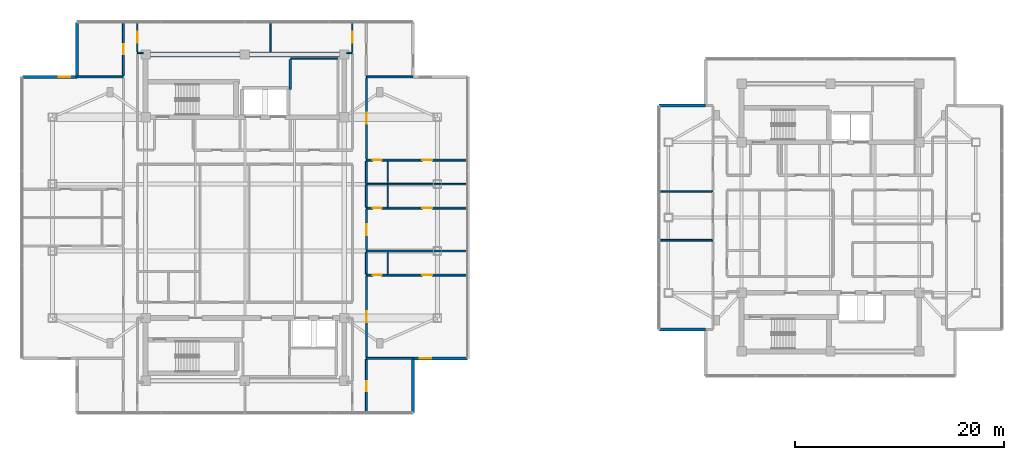
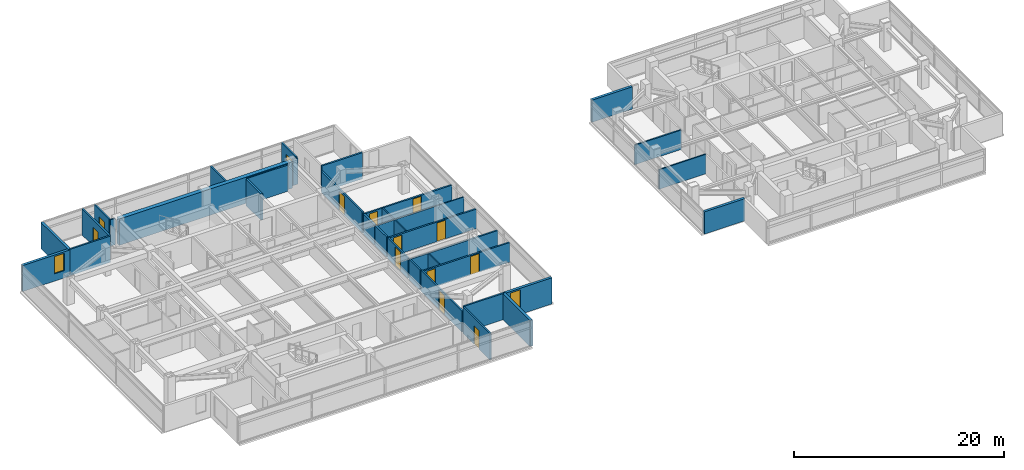
# One storey, part 13 of 21: 35 walls, 13 doors, 2 windows, 15 openings.
"""IFC4 building model written with IfcOpenShell, lengths in metres."""

from ifc_helpers import new_model, si_unit, direction, frame, frame_2d, origin, place, context, subcontext, project, spatial, rectangle, extrude, material, layer, layer_set, type_object, element, fill, save


model = new_model("IFC4")

# Units and contexts
model_context = context("Model", 3, precision=1e-05, world=origin(), true_north=direction((0.0, 1.0)))
body_context = subcontext(model_context, "Body", "Model", "MODEL_VIEW")
ifc_project = project(units=[si_unit("LENGTHUNIT", "METRE"), si_unit("AREAUNIT", "SQUARE_METRE"), si_unit("VOLUMEUNIT", "CUBIC_METRE"), si_unit("PLANEANGLEUNIT", "RADIAN"), si_unit("MASSUNIT", "GRAM", prefix="KILO")], contexts=[model_context])

# Site, building, storey
site_placement = place(None, origin())
site = spatial("IfcSite", under=ifc_project, at=site_placement, CompositionType="ELEMENT")
building_placement = place(site_placement, origin())
building = spatial("IfcBuilding", under=site, at=building_placement, Name="Mirazonda Arch Towers", CompositionType="ELEMENT")
storey_placement = place(building_placement, frame((0.0, 0.0, 206.39990234375)))
storey = spatial("IfcBuildingStorey", under=building, at=storey_placement, Name="L59", CompositionType="ELEMENT", Elevation=206.39990234375)

# Wall
ifc_material_1 = material(Name="Concrete C50/60", Category="concrete")
ifc_layer_1 = layer(ifc_material_1, 0.449951171875, Name="WALL-CORE-450")
ifc_layer_set_1 = layer_set([ifc_layer_1], Name="Concrete C50/60")
wall_type_1 = type_object("IfcWallType", Name="WALL-CORE-450", PredefinedType="SHEAR", material=ifc_layer_set_1)
wall_1_placement = place(storey_placement, frame((11.0, 43.60009765625, 0.0), z_axis=(0.0, 0.0, 1.0), x_axis=(1.0, 0.0, 0.0)))
element("IfcWall", 1, at=wall_1_placement, inside=storey, type_object=wall_type_1, Name="L59 T1N-N Core Shear Wall", PredefinedType="SHEAR", context=body_context, shape_type="SweptSolid", body=[
    extrude(rectangle(XDim=19.0, YDim=0.449951171875, at=frame_2d((9.5, 0.0))), origin(), (0.0, 0.0, 1.0), 3.050048828125),
])

# Wall, opening, window
ifc_material_2 = material(Name="Precast Concrete C40/50", Category="concrete")
ifc_layer_2 = layer(ifc_material_2, 0.280029296875, Name="WALL-EXT-WALL-280")
ifc_layer_set_2 = layer_set([ifc_layer_2], Name="Precast Concrete C40/50")
wall_type_2 = type_object("IfcWallType", Name="WALL-EXT-WALL-280", PredefinedType="SOLIDWALL", material=ifc_layer_set_2)
wall_2_placement = place(storey_placement, frame((36.574951171875, 14.5390625, 0.0), z_axis=(0.0, 0.0, 1.0), x_axis=(1.0, 0.0, 0.0)))
wall_2 = element("IfcWall", 2, at=wall_2_placement, inside=storey, type_object=wall_type_2, Name="L59 T1 Corner Notch Return Wall WL-L59-T1-CSE1", PredefinedType="SOLIDWALL", context=body_context, shape_type="SweptSolid", body=[
    extrude(rectangle(XDim=5.215087890625, YDim=0.280029296875, at=frame_2d((2.607421875, 0.0))), origin(), (0.0, 0.0, 1.0), 3.030029296875),
])
opening_1_placement = place(wall_2_placement, frame((0.64990234375, 0.0, 0.85009765625)))
opening_1 = element("IfcOpeningElement", 3, at=opening_1_placement, cuts=wall_2, Name="Opening WN-108", PredefinedType="OPENING", context=body_context, shape_type="SweptSolid", body=[
    extrude(rectangle(XDim=1.10009765625, YDim=2.0, at=frame_2d((0.550048828125, 1.0))), frame((0.0, 0.14990234375, 0.0), z_axis=(0.0, -1.0, 0.0), x_axis=(1.0, 0.0, 0.0)), (0.0, 0.0, 1.0), 0.300048828125),
])
ifc_material_3 = material(Name="Insulated Low-E Solar Glass", Category="glass")
window_type = type_object("IfcWindowType", Name="WIN-NOTCH-1100x2000", PartitioningType="SINGLE_PANEL", PredefinedType="WINDOW", material=ifc_material_3)
window_1_placement = place(opening_1_placement, origin())
window_1 = element("IfcWindow", 4, at=window_1_placement, inside=storey, type_object=window_type, Name="L59 Punched Facade Window WN-L59-T1-CSE1", OverallHeight=2.0, OverallWidth=1.10009765625, PartitioningType="SINGLE_PANEL", PredefinedType="WINDOW", context=body_context, shape_type="SweptSolid", body=[
    extrude(rectangle(XDim=1.10009765625, YDim=2.0, at=frame_2d((0.550048828125, 1.0))), frame((0.0, 0.030029296875, 0.0), z_axis=(0.0, -1.0, 0.0), x_axis=(1.0, 0.0, 0.0)), (0.0, 0.0, 1.0), 0.06005859375),
])
fill(opening_1, window_1)

# Wall
wall_3_placement = place(storey_placement, frame((36.574951171875, 9.323974609375, 0.0), z_axis=(0.0, 0.0, 1.0), x_axis=(0.0, 1.0, 0.0)))
element("IfcWall", 5, at=wall_3_placement, inside=storey, type_object=wall_type_2, Name="L59 T1 Corner Notch Return Wall WL-L59-T1-CSE2", PredefinedType="SOLIDWALL", context=body_context, shape_type="SweptSolid", body=[
    extrude(rectangle(XDim=5.215087890625, YDim=0.280029296875, at=frame_2d((2.607421875, 0.0))), origin(), (0.0, 0.0, 1.0), 3.030029296875),
])

# Wall, opening, window
wall_4_placement = place(storey_placement, frame((4.425048828125, 41.4609375, 0.0), z_axis=(0.0, 0.0, 1.0), x_axis=(-1.0, 0.0, 0.0)))
wall_4 = element("IfcWall", 6, at=wall_4_placement, inside=storey, type_object=wall_type_2, Name="L59 T1 Corner Notch Return Wall WL-L59-T1-CNW1", PredefinedType="SOLIDWALL", context=body_context, shape_type="SweptSolid", body=[
    extrude(rectangle(XDim=5.215087890625, YDim=0.280029296875, at=frame_2d((2.607421875, 0.0))), origin(), (0.0, 0.0, 1.0), 3.030029296875),
])
opening_2_placement = place(wall_4_placement, frame((0.64990234375, 0.0, 0.85009765625)))
opening_2 = element("IfcOpeningElement", 7, at=opening_2_placement, cuts=wall_4, Name="Opening WN-108", PredefinedType="OPENING", context=body_context, shape_type="SweptSolid", body=[
    extrude(rectangle(XDim=1.10009765625, YDim=2.0, at=frame_2d((0.550048828125, 1.0))), frame((0.0, 0.14990234375, 0.0), z_axis=(0.0, -1.0, 0.0), x_axis=(1.0, 0.0, 0.0)), (0.0, 0.0, 1.0), 0.300048828125),
])
window_2_placement = place(opening_2_placement, origin())
window_2 = element("IfcWindow", 8, at=window_2_placement, inside=storey, type_object=window_type, Name="L59 Punched Facade Window WN-L59-T1-CNW1", OverallHeight=2.0, OverallWidth=1.10009765625, PartitioningType="SINGLE_PANEL", PredefinedType="WINDOW", context=body_context, shape_type="SweptSolid", body=[
    extrude(rectangle(XDim=1.10009765625, YDim=2.0, at=frame_2d((0.550048828125, 1.0))), frame((0.0, 0.030029296875, 0.0), z_axis=(0.0, -1.0, 0.0), x_axis=(1.0, 0.0, 0.0)), (0.0, 0.0, 1.0), 0.06005859375),
])
fill(opening_2, window_2)

# Walls
wall_5_placement = place(storey_placement, frame((4.425048828125, 46.676025390625, 0.0), z_axis=(0.0, 0.0, 1.0), x_axis=(0.0, -1.0, 0.0)))
element("IfcWall", 9, at=wall_5_placement, inside=storey, type_object=wall_type_2, Name="L59 T1 Corner Notch Return Wall WL-L59-T1-CNW2", PredefinedType="SOLIDWALL", context=body_context, shape_type="SweptSolid", body=[
    extrude(rectangle(XDim=5.215087890625, YDim=0.280029296875, at=frame_2d((2.607421875, 0.0))), origin(), (0.0, 0.0, 1.0), 3.030029296875),
])
for number, where, z_axis, x_axis, name in (
    (10, (60.12255859375, 17.30126953125, 0.0), (0.0, 0.0, 1.0), (1.0, 0.0, 0.0), "L59 T2 Corner Notch Return Wall WL-L59-T2-CSW2"),
    (11, (64.562255859375, 38.69873046875, 0.0), (0.0, 0.0, 1.0), (-1.0, 0.0, 0.0), "L59 T2 Corner Notch Return Wall WL-L59-T2-CNW1"),
):
    element("IfcWall", number, at=place(storey_placement, frame(where, z_axis=z_axis, x_axis=x_axis)), inside=storey, type_object=wall_type_2, Name=name, PredefinedType="SOLIDWALL", context=body_context, shape_type="SweptSolid", body=[
        extrude(rectangle(XDim=4.439697265625, YDim=0.280029296875, at=frame_2d((2.2197265625, 0.0))), origin(), (0.0, 0.0, 1.0), 2.580078125),
    ])
ifc_material_4 = material(Name="Concrete C40/50", Category="concrete")
ifc_layer_3 = layer(ifc_material_4, 0.219970703125, Name="WALL-FFL-220")
ifc_layer_set_3 = layer_set([ifc_layer_3], Name="Concrete C40/50")
wall_type_3 = type_object("IfcWallType", Name="WALL-FFL-220", PredefinedType="SOLIDWALL", material=ifc_layer_set_3)
wall_6_placement = place(storey_placement, frame((24.85009765625, 40.260009765625, 0.0), z_axis=(0.0, 0.0, 1.0), x_axis=(0.0, 1.0, 0.0)))
element("IfcWall", 12, at=wall_6_placement, inside=storey, type_object=wall_type_3, Name="L59 Interior Partition 086", PredefinedType="SOLIDWALL", context=body_context, shape_type="SweptSolid", body=[
    extrude(rectangle(XDim=2.85498046875, YDim=0.219970703125, at=frame_2d((1.427490234375, 0.0))), origin(), (0.0, 0.0, 1.0), 3.050048828125),
])
ifc_material_5 = material(Name="Fire-Rated Gypsum Stud Partition")
ifc_layer_4 = layer(ifc_material_5, 0.14990234375, Name="WALL-PART-CORR-150")
ifc_layer_set_4 = layer_set([ifc_layer_4], Name="Fire-Rated Gypsum Stud Partition")
wall_type_4 = type_object("IfcWallType", Name="WALL-PART-CORR-150", PredefinedType="PARTITIONING", material=ifc_layer_set_4)
for number, where, z_axis, x_axis, name in (
    (13, (60.123046875, 25.833984375, 0.0), (0.0, 0.0, 1.0), (1.0, 0.0, 0.0), "L59 Interior Partition 028"),
    (14, (60.123046875, 30.508056640625, 0.0), (0.0, 0.0, 1.0), (1.0, 0.0, 0.0), "L59 Interior Partition 032"),
):
    element("IfcWall", number, at=place(storey_placement, frame(where, z_axis=z_axis, x_axis=x_axis)), inside=storey, type_object=wall_type_4, Name=name, PredefinedType="PARTITIONING", context=body_context, shape_type="SweptSolid", body=[
        extrude(rectangle(XDim=5.126953125, YDim=0.14990234375, at=frame_2d((2.5634765625, 0.0))), origin(), (0.0, 0.0, 1.0), 2.26220703125),
    ])
wall_7_placement = place(storey_placement, frame((24.89990234375, 43.199951171875, 0.0), z_axis=(0.0, 0.0, 1.0), x_axis=(1.0, 0.0, 0.0)))
element("IfcWall", 15, at=wall_7_placement, inside=storey, type_object=wall_type_4, Name="L59 Interior Partition 052", PredefinedType="PARTITIONING", context=body_context, shape_type="SweptSolid", body=[
    extrude(rectangle(XDim=4.5, YDim=0.14990234375, at=frame_2d((2.25, 0.0))), origin(), (0.0, 0.0, 1.0), 3.050048828125),
])
for number, where, z_axis, x_axis, name in (
    (16, (10.219970703125, 43.75, 0.0), (0.0, 0.0, 1.0), (1.0, 0.0, 0.0), "L59 Interior Partition 053"),
    (17, (30.219970703125, 43.75, 0.0), (0.0, 0.0, 1.0), (1.0, 0.0, 0.0), "L59 Interior Partition 054"),
):
    element("IfcWall", number, at=place(storey_placement, frame(where, z_axis=z_axis, x_axis=x_axis)), inside=storey, type_object=wall_type_4, Name=name, PredefinedType="PARTITIONING", context=body_context, shape_type="SweptSolid", body=[
        extrude(rectangle(XDim=0.56005859375, YDim=0.14990234375, at=frame_2d((0.280029296875, 0.0))), origin(), (0.0, 0.0, 1.0), 3.050048828125),
    ])

# Wall, opening, door
wall_8_placement = place(storey_placement, frame((10.219970703125, 43.8349609375, 0.0), z_axis=(0.0, 0.0, 1.0), x_axis=(0.0, 1.0, 0.0)))
wall_8 = element("IfcWall", 18, at=wall_8_placement, inside=storey, type_object=wall_type_4, Name="L59 Interior Partition 068", PredefinedType="PARTITIONING", context=body_context, shape_type="SweptSolid", body=[
    extrude(rectangle(XDim=2.841064453125, YDim=0.14990234375, at=frame_2d((1.42041015625, 0.0))), origin(), (0.0, 0.0, 1.0), 3.050048828125),
])
opening_3_placement = place(wall_8_placement, frame((0.8955078125, 0.0, 0.0)))
opening_3 = element("IfcOpeningElement", 19, at=opening_3_placement, cuts=wall_8, Name="Opening DR-121", PredefinedType="OPENING", context=body_context, shape_type="SweptSolid", body=[
    extrude(rectangle(XDim=1.050048828125, YDim=2.199951171875, at=frame_2d((0.52490234375, 1.10009765625))), frame((0.0, 0.0849609375, 0.0), z_axis=(0.0, -1.0, 0.0), x_axis=(1.0, 0.0, 0.0)), (0.0, 0.0, 1.0), 0.169921875),
])
ifc_material_6 = material(Name="Architectural Brushed Steel S355", Category="steel")
door_type_1 = type_object("IfcDoorType", Name="DOOR-SUITE-FD60-1050", OperationType="NOTDEFINED", PredefinedType="DOOR", material=ifc_material_6)
door_1_placement = place(opening_3_placement, origin())
door_1 = element("IfcDoor", 20, at=door_1_placement, inside=storey, type_object=door_type_1, Name="L59 North Reading Salon West Door", OperationType="SINGLE_SWING_LEFT", OverallHeight=2.199951171875, OverallWidth=1.050048828125, PredefinedType="DOOR", context=body_context, shape_type="SweptSolid", body=[
    extrude(rectangle(XDim=1.050048828125, YDim=2.199951171875, at=frame_2d((0.52490234375, 1.10009765625))), frame((0.0, 0.02490234375, 0.0), z_axis=(0.0, -1.0, 0.0), x_axis=(1.0, 0.0, 0.0)), (0.0, 0.0, 1.0), 0.050048828125),
])
fill(opening_3, door_1)

# Wall
wall_9_placement = place(storey_placement, frame((22.967041015625, 43.820068359375, 0.0), z_axis=(0.0, 0.0, 1.0), x_axis=(0.0, 1.0, 0.0)))
element("IfcWall", 21, at=wall_9_placement, inside=storey, type_object=wall_type_4, Name="L59 Interior Partition 081", PredefinedType="PARTITIONING", context=body_context, shape_type="SweptSolid", body=[
    extrude(rectangle(XDim=2.85595703125, YDim=0.14990234375, at=frame_2d((1.427978515625, 0.0))), origin(), (0.0, 0.0, 1.0), 3.050048828125),
])

# Wall, opening, door
wall_10_placement = place(storey_placement, frame((30.780029296875, 43.8349609375, 0.0), z_axis=(0.0, 0.0, 1.0), x_axis=(0.0, 1.0, 0.0)))
wall_10 = element("IfcWall", 22, at=wall_10_placement, inside=storey, type_object=wall_type_4, Name="L59 Interior Partition 096", PredefinedType="PARTITIONING", context=body_context, shape_type="SweptSolid", body=[
    extrude(rectangle(XDim=2.841064453125, YDim=0.14990234375, at=frame_2d((1.42041015625, 0.0))), origin(), (0.0, 0.0, 1.0), 3.050048828125),
])
opening_4_placement = place(wall_10_placement, frame((0.8955078125, 0.0, 0.0)))
opening_4 = element("IfcOpeningElement", 23, at=opening_4_placement, cuts=wall_10, Name="Opening DR-121", PredefinedType="OPENING", context=body_context, shape_type="SweptSolid", body=[
    extrude(rectangle(XDim=1.050048828125, YDim=2.199951171875, at=frame_2d((0.52490234375, 1.10009765625))), frame((0.0, 0.0849609375, 0.0), z_axis=(0.0, -1.0, 0.0), x_axis=(1.0, 0.0, 0.0)), (0.0, 0.0, 1.0), 0.169921875),
])
door_2_placement = place(opening_4_placement, origin())
door_2 = element("IfcDoor", 24, at=door_2_placement, inside=storey, type_object=door_type_1, Name="L59 North Reading Salon East Door", OperationType="SINGLE_SWING_RIGHT", OverallHeight=2.199951171875, OverallWidth=1.050048828125, PredefinedType="DOOR", context=body_context, shape_type="SweptSolid", body=[
    extrude(rectangle(XDim=1.050048828125, YDim=2.199951171875, at=frame_2d((0.52490234375, 1.10009765625))), frame((0.0, 0.02490234375, 0.0), z_axis=(0.0, -1.0, 0.0), x_axis=(1.0, 0.0, 0.0)), (0.0, 0.0, 1.0), 0.050048828125),
])
fill(opening_4, door_2)

# Wall
ifc_material_7 = material(Name="Fire-Rated Gypsum Twin-Stud Assembly")
ifc_layer_5 = layer(ifc_material_7, 0.179931640625, Name="WALL-PART-DEMISE-180")
ifc_layer_set_5 = layer_set([ifc_layer_5], Name="Fire-Rated Gypsum Twin-Stud Assembly")
wall_type_5 = type_object("IfcWallType", Name="WALL-PART-DEMISE-180", PredefinedType="PARTITIONING", material=ifc_layer_set_5)
wall_11_placement = place(storey_placement, frame((32.1201171875, 14.5390625, 0.0), z_axis=(0.0, 0.0, 1.0), x_axis=(1.0, 0.0, 0.0)))
element("IfcWall", 25, at=wall_11_placement, inside=storey, type_object=wall_type_5, Name="L59 Interior Partition 006", PredefinedType="PARTITIONING", context=body_context, shape_type="SweptSolid", body=[
    extrude(rectangle(XDim=4.434814453125, YDim=0.179931640625, at=frame_2d((2.21728515625, 0.0))), origin(), (0.0, 0.0, 1.0), 3.050048828125),
])

# Wall, openings, doors
wall_12_placement = place(storey_placement, frame((32.1201171875, 22.5, 0.0), z_axis=(0.0, 0.0, 1.0), x_axis=(1.0, 0.0, 0.0)))
wall_12 = element("IfcWall", 26, at=wall_12_placement, inside=storey, type_object=wall_type_5, Name="L59 Interior Partition 020", PredefinedType="PARTITIONING", context=body_context, shape_type="SweptSolid", body=[
    extrude(rectangle(XDim=9.669921875, YDim=0.179931640625, at=frame_2d((4.8349609375, 0.0))), origin(), (0.0, 0.0, 1.0), 2.26904296875),
])
opening_5_placement = place(wall_12_placement, frame((5.360107421875, 0.0, 0.0)))
opening_5 = element("IfcOpeningElement", 27, at=opening_5_placement, cuts=wall_12, Name="Opening DR-104", PredefinedType="OPENING", context=body_context, shape_type="SweptSolid", body=[
    extrude(rectangle(XDim=0.949951171875, YDim=2.14990234375, at=frame_2d((0.47509765625, 1.074951171875))), frame((0.0, 0.099853515625, 0.0), z_axis=(0.0, -1.0, 0.0), x_axis=(1.0, 0.0, 0.0)), (0.0, 0.0, 1.0), 0.199951171875),
])
opening_6_placement = place(wall_12_placement, frame((0.590087890625, 0.0, 0.0)))
opening_6 = element("IfcOpeningElement", 28, at=opening_6_placement, cuts=wall_12, Name="Opening DR-120", PredefinedType="OPENING", context=body_context, shape_type="SweptSolid", body=[
    extrude(rectangle(XDim=0.89990234375, YDim=2.10009765625, at=frame_2d((0.449951171875, 1.050048828125))), frame((0.0, 0.099853515625, 0.0), z_axis=(0.0, -1.0, 0.0), x_axis=(1.0, 0.0, 0.0)), (0.0, 0.0, 1.0), 0.199951171875),
])
door_type_2 = type_object("IfcDoorType", Name="DOOR-ROOM-950", OperationType="NOTDEFINED", PredefinedType="DOOR", material=ifc_material_6)
door_3_placement = place(opening_5_placement, origin())
door_3 = element("IfcDoor", 29, at=door_3_placement, inside=storey, type_object=door_type_2, Name="L59 Suite Bedroom 1 Door", OperationType="SINGLE_SWING_RIGHT", OverallHeight=2.14990234375, OverallWidth=0.949951171875, PredefinedType="DOOR", context=body_context, shape_type="SweptSolid", body=[
    extrude(rectangle(XDim=0.949951171875, YDim=2.14990234375, at=frame_2d((0.47509765625, 1.074951171875))), frame((0.0, 0.02490234375, 0.0), z_axis=(0.0, -1.0, 0.0), x_axis=(1.0, 0.0, 0.0)), (0.0, 0.0, 1.0), 0.050048828125),
])
fill(opening_5, door_3)
door_type_3 = type_object("IfcDoorType", Name="DOOR-WC-900", OperationType="NOTDEFINED", PredefinedType="DOOR", material=ifc_material_6)
door_4_placement = place(opening_6_placement, origin())
door_4 = element("IfcDoor", 30, at=door_4_placement, inside=storey, type_object=door_type_3, Name="L59 Suite En-Suite Bathroom 1 Door", OperationType="SINGLE_SWING_LEFT", OverallHeight=2.10009765625, OverallWidth=0.89990234375, PredefinedType="DOOR", context=body_context, shape_type="SweptSolid", body=[
    extrude(rectangle(XDim=0.89990234375, YDim=2.10009765625, at=frame_2d((0.449951171875, 1.050048828125))), frame((0.0, 0.02490234375, 0.0), z_axis=(0.0, -1.0, 0.0), x_axis=(1.0, 0.0, 0.0)), (0.0, 0.0, 1.0), 0.050048828125),
])
fill(opening_6, door_4)

# Wall
wall_13_placement = place(storey_placement, frame((32.1201171875, 24.800048828125, 0.0), z_axis=(0.0, 0.0, 1.0), x_axis=(1.0, 0.0, 0.0)))
element("IfcWall", 31, at=wall_13_placement, inside=storey, type_object=wall_type_5, Name="L59 Interior Partition 024", PredefinedType="PARTITIONING", context=body_context, shape_type="SweptSolid", body=[
    extrude(rectangle(XDim=9.669921875, YDim=0.179931640625, at=frame_2d((4.8349609375, 0.0))), origin(), (0.0, 0.0, 1.0), 2.26904296875),
])

# Wall, openings, doors
wall_14_placement = place(storey_placement, frame((32.1201171875, 28.89990234375, 0.0), z_axis=(0.0, 0.0, 1.0), x_axis=(1.0, 0.0, 0.0)))
wall_14 = element("IfcWall", 32, at=wall_14_placement, inside=storey, type_object=wall_type_5, Name="L59 Interior Partition 031", PredefinedType="PARTITIONING", context=body_context, shape_type="SweptSolid", body=[
    extrude(rectangle(XDim=9.669921875, YDim=0.179931640625, at=frame_2d((4.8349609375, 0.0))), origin(), (0.0, 0.0, 1.0), 2.26904296875),
])
opening_7_placement = place(wall_14_placement, frame((5.360107421875, 0.0, 0.0)))
opening_7 = element("IfcOpeningElement", 33, at=opening_7_placement, cuts=wall_14, Name="Opening DR-104", PredefinedType="OPENING", context=body_context, shape_type="SweptSolid", body=[
    extrude(rectangle(XDim=0.949951171875, YDim=2.14990234375, at=frame_2d((0.47509765625, 1.074951171875))), frame((0.0, 0.099853515625, 0.0), z_axis=(0.0, -1.0, 0.0), x_axis=(1.0, 0.0, 0.0)), (0.0, 0.0, 1.0), 0.199951171875),
])
opening_8_placement = place(wall_14_placement, frame((0.590087890625, 0.0, 0.0)))
opening_8 = element("IfcOpeningElement", 34, at=opening_8_placement, cuts=wall_14, Name="Opening DR-120", PredefinedType="OPENING", context=body_context, shape_type="SweptSolid", body=[
    extrude(rectangle(XDim=0.89990234375, YDim=2.10009765625, at=frame_2d((0.449951171875, 1.050048828125))), frame((0.0, 0.099853515625, 0.0), z_axis=(0.0, -1.0, 0.0), x_axis=(1.0, 0.0, 0.0)), (0.0, 0.0, 1.0), 0.199951171875),
])
door_5_placement = place(opening_7_placement, origin())
door_5 = element("IfcDoor", 35, at=door_5_placement, inside=storey, type_object=door_type_2, Name="L59 Guestroom Study 2 Door", OperationType="SINGLE_SWING_LEFT", OverallHeight=2.14990234375, OverallWidth=0.949951171875, PredefinedType="DOOR", context=body_context, shape_type="SweptSolid", body=[
    extrude(rectangle(XDim=0.949951171875, YDim=2.14990234375, at=frame_2d((0.47509765625, 1.074951171875))), frame((0.0, 0.02490234375, 0.0), z_axis=(0.0, -1.0, 0.0), x_axis=(1.0, 0.0, 0.0)), (0.0, 0.0, 1.0), 0.050048828125),
])
fill(opening_7, door_5)
door_6_placement = place(opening_8_placement, origin())
door_6 = element("IfcDoor", 36, at=door_6_placement, inside=storey, type_object=door_type_3, Name="L59 En-Suite Bathroom 2 Door", OperationType="SINGLE_SWING_RIGHT", OverallHeight=2.10009765625, OverallWidth=0.89990234375, PredefinedType="DOOR", context=body_context, shape_type="SweptSolid", body=[
    extrude(rectangle(XDim=0.89990234375, YDim=2.10009765625, at=frame_2d((0.449951171875, 1.050048828125))), frame((0.0, 0.02490234375, 0.0), z_axis=(0.0, -1.0, 0.0), x_axis=(1.0, 0.0, 0.0)), (0.0, 0.0, 1.0), 0.050048828125),
])
fill(opening_8, door_6)

wall_15_placement = place(storey_placement, frame((32.1201171875, 33.5, 0.0), z_axis=(0.0, 0.0, 1.0), x_axis=(1.0, 0.0, 0.0)))
wall_15 = element("IfcWall", 37, at=wall_15_placement, inside=storey, type_object=wall_type_5, Name="L59 Interior Partition 040", PredefinedType="PARTITIONING", context=body_context, shape_type="SweptSolid", body=[
    extrude(rectangle(XDim=9.669921875, YDim=0.179931640625, at=frame_2d((4.8349609375, 0.0))), origin(), (0.0, 0.0, 1.0), 2.26904296875),
])
opening_9_placement = place(wall_15_placement, frame((5.360107421875, 0.0, 0.0)))
opening_9 = element("IfcOpeningElement", 38, at=opening_9_placement, cuts=wall_15, Name="Opening DR-104", PredefinedType="OPENING", context=body_context, shape_type="SweptSolid", body=[
    extrude(rectangle(XDim=0.949951171875, YDim=2.14990234375, at=frame_2d((0.47509765625, 1.074951171875))), frame((0.0, 0.099853515625, 0.0), z_axis=(0.0, -1.0, 0.0), x_axis=(1.0, 0.0, 0.0)), (0.0, 0.0, 1.0), 0.199951171875),
])
opening_10_placement = place(wall_15_placement, frame((0.590087890625, 0.0, 0.0)))
opening_10 = element("IfcOpeningElement", 39, at=opening_10_placement, cuts=wall_15, Name="Opening DR-120", PredefinedType="OPENING", context=body_context, shape_type="SweptSolid", body=[
    extrude(rectangle(XDim=0.89990234375, YDim=2.10009765625, at=frame_2d((0.449951171875, 1.050048828125))), frame((0.0, 0.099853515625, 0.0), z_axis=(0.0, -1.0, 0.0), x_axis=(1.0, 0.0, 0.0)), (0.0, 0.0, 1.0), 0.199951171875),
])
door_7_placement = place(opening_9_placement, origin())
door_7 = element("IfcDoor", 40, at=door_7_placement, inside=storey, type_object=door_type_2, Name="L59 Suite Bedroom 3 Door", OperationType="SINGLE_SWING_RIGHT", OverallHeight=2.14990234375, OverallWidth=0.949951171875, PredefinedType="DOOR", context=body_context, shape_type="SweptSolid", body=[
    extrude(rectangle(XDim=0.949951171875, YDim=2.14990234375, at=frame_2d((0.47509765625, 1.074951171875))), frame((0.0, 0.02490234375, 0.0), z_axis=(0.0, -1.0, 0.0), x_axis=(1.0, 0.0, 0.0)), (0.0, 0.0, 1.0), 0.050048828125),
])
fill(opening_9, door_7)
door_8_placement = place(opening_10_placement, origin())
door_8 = element("IfcDoor", 41, at=door_8_placement, inside=storey, type_object=door_type_3, Name="L59 Suite En-Suite Bathroom 3 Door", OperationType="SINGLE_SWING_LEFT", OverallHeight=2.10009765625, OverallWidth=0.89990234375, PredefinedType="DOOR", context=body_context, shape_type="SweptSolid", body=[
    extrude(rectangle(XDim=0.89990234375, YDim=2.10009765625, at=frame_2d((0.449951171875, 1.050048828125))), frame((0.0, 0.02490234375, 0.0), z_axis=(0.0, -1.0, 0.0), x_axis=(1.0, 0.0, 0.0)), (0.0, 0.0, 1.0), 0.050048828125),
])
fill(opening_10, door_8)

# Walls
for number, where, z_axis, x_axis, name in (
    (42, (4.445068359375, 41.4609375, 0.0), (0.0, 0.0, 1.0), (1.0, 0.0, 0.0), "L59 Interior Partition 050"),
    (43, (32.1201171875, 41.4609375, 0.0), (0.0, 0.0, 1.0), (1.0, 0.0, 0.0), "L59 Interior Partition 051"),
):
    element("IfcWall", number, at=place(storey_placement, frame(where, z_axis=z_axis, x_axis=x_axis)), inside=storey, type_object=wall_type_5, Name=name, PredefinedType="PARTITIONING", context=body_context, shape_type="SweptSolid", body=[
        extrude(rectangle(XDim=4.434814453125, YDim=0.179931640625, at=frame_2d((2.21728515625, 0.0))), origin(), (0.0, 0.0, 1.0), 3.050048828125),
    ])

# Wall, opening, door
wall_16_placement = place(storey_placement, frame((8.8798828125, 41.56103515625, 0.0), z_axis=(0.0, 0.0, 1.0), x_axis=(0.0, 1.0, 0.0)))
wall_16 = element("IfcWall", 44, at=wall_16_placement, inside=storey, type_object=wall_type_5, Name="L59 Interior Partition 062", PredefinedType="PARTITIONING", context=body_context, shape_type="SweptSolid", body=[
    extrude(rectangle(XDim=5.114990234375, YDim=0.179931640625, at=frame_2d((2.5576171875, 0.0))), origin(), (0.0, 0.0, 1.0), 3.050048828125),
])
opening_11_placement = place(wall_16_placement, frame((2.08251953125, 0.0, 0.0)))
opening_11 = element("IfcOpeningElement", 45, at=opening_11_placement, cuts=wall_16, Name="Opening DR-104", PredefinedType="OPENING", context=body_context, shape_type="SweptSolid", body=[
    extrude(rectangle(XDim=0.949951171875, YDim=2.14990234375, at=frame_2d((0.47509765625, 1.074951171875))), frame((0.0, 0.099853515625, 0.0), z_axis=(0.0, -1.0, 0.0), x_axis=(1.0, 0.0, 0.0)), (0.0, 0.0, 1.0), 0.199951171875),
])
door_9_placement = place(opening_11_placement, origin())
door_9 = element("IfcDoor", 46, at=door_9_placement, inside=storey, type_object=door_type_2, Name="L59 North Reading Salon Alcove West Door", OperationType="SINGLE_SWING_LEFT", OverallHeight=2.14990234375, OverallWidth=0.949951171875, PredefinedType="DOOR", context=body_context, shape_type="SweptSolid", body=[
    extrude(rectangle(XDim=0.949951171875, YDim=2.14990234375, at=frame_2d((0.47509765625, 1.074951171875))), frame((0.0, 0.02490234375, 0.0), z_axis=(0.0, -1.0, 0.0), x_axis=(1.0, 0.0, 0.0)), (0.0, 0.0, 1.0), 0.050048828125),
])
fill(opening_11, door_9)

wall_17_placement = place(storey_placement, frame((32.1201171875, 9.323974609375, 0.0), z_axis=(0.0, 0.0, 1.0), x_axis=(0.0, 1.0, 0.0)))
wall_17 = element("IfcWall", 47, at=wall_17_placement, inside=storey, type_object=wall_type_5, Name="L59 Interior Partition 097", PredefinedType="PARTITIONING", context=body_context, shape_type="SweptSolid", body=[
    extrude(rectangle(XDim=5.114990234375, YDim=0.179931640625, at=frame_2d((2.5576171875, 0.0))), origin(), (0.0, 0.0, 1.0), 3.050048828125),
])
opening_12_placement = place(wall_17_placement, frame((2.08251953125, 0.0, 0.0)))
opening_12 = element("IfcOpeningElement", 48, at=opening_12_placement, cuts=wall_17, Name="Opening DR-104", PredefinedType="OPENING", context=body_context, shape_type="SweptSolid", body=[
    extrude(rectangle(XDim=0.949951171875, YDim=2.14990234375, at=frame_2d((0.47509765625, 1.074951171875))), frame((0.0, 0.099853515625, 0.0), z_axis=(0.0, -1.0, 0.0), x_axis=(1.0, 0.0, 0.0)), (0.0, 0.0, 1.0), 0.199951171875),
])
door_10_placement = place(opening_12_placement, origin())
door_10 = element("IfcDoor", 49, at=door_10_placement, inside=storey, type_object=door_type_2, Name="L59 South Horizon Lounge Alcove East Door", OperationType="SINGLE_SWING_RIGHT", OverallHeight=2.14990234375, OverallWidth=0.949951171875, PredefinedType="DOOR", context=body_context, shape_type="SweptSolid", body=[
    extrude(rectangle(XDim=0.949951171875, YDim=2.14990234375, at=frame_2d((0.47509765625, 1.074951171875))), frame((0.0, 0.02490234375, 0.0), z_axis=(0.0, -1.0, 0.0), x_axis=(1.0, 0.0, 0.0)), (0.0, 0.0, 1.0), 0.050048828125),
])
fill(opening_12, door_10)

wall_18_placement = place(storey_placement, frame((32.1201171875, 14.638916015625, 0.0), z_axis=(0.0, 0.0, 1.0), x_axis=(0.0, 1.0, 0.0)))
wall_18 = element("IfcWall", 50, at=wall_18_placement, inside=storey, type_object=wall_type_5, Name="L59 Interior Partition 098", PredefinedType="PARTITIONING", context=body_context, shape_type="SweptSolid", body=[
    extrude(rectangle(XDim=7.760986328125, YDim=0.179931640625, at=frame_2d((3.88037109375, 0.0))), origin(), (0.0, 0.0, 1.0), 2.442138671875),
])
opening_13_placement = place(wall_18_placement, frame((3.35546875, 0.0, 0.0)))
opening_13 = element("IfcOpeningElement", 51, at=opening_13_placement, cuts=wall_18, Name="Opening DR-121", PredefinedType="OPENING", context=body_context, shape_type="SweptSolid", body=[
    extrude(rectangle(XDim=1.050048828125, YDim=2.199951171875, at=frame_2d((0.52490234375, 1.10009765625))), frame((0.0, 0.099853515625, 0.0), z_axis=(0.0, -1.0, 0.0), x_axis=(1.0, 0.0, 0.0)), (0.0, 0.0, 1.0), 0.199951171875),
])
door_11_placement = place(opening_13_placement, origin())
door_11 = element("IfcDoor", 52, at=door_11_placement, inside=storey, type_object=door_type_1, Name="L59 Presidential Hotel Suite 1 Door", OperationType="SINGLE_SWING_LEFT", OverallHeight=2.199951171875, OverallWidth=1.050048828125, PredefinedType="DOOR", context=body_context, shape_type="SweptSolid", body=[
    extrude(rectangle(XDim=1.050048828125, YDim=2.199951171875, at=frame_2d((0.52490234375, 1.10009765625))), frame((0.0, 0.02490234375, 0.0), z_axis=(0.0, -1.0, 0.0), x_axis=(1.0, 0.0, 0.0)), (0.0, 0.0, 1.0), 0.050048828125),
])
fill(opening_13, door_11)

# Wall
wall_19_placement = place(storey_placement, frame((32.1201171875, 22.60009765625, 0.0), z_axis=(0.0, 0.0, 1.0), x_axis=(0.0, 1.0, 0.0)))
element("IfcWall", 53, at=wall_19_placement, inside=storey, type_object=wall_type_5, Name="L59 Interior Partition 099", PredefinedType="PARTITIONING", context=body_context, shape_type="SweptSolid", body=[
    extrude(rectangle(XDim=2.099853515625, YDim=0.179931640625, at=frame_2d((1.0498046875, 0.0))), origin(), (0.0, 0.0, 1.0), 2.34619140625),
])

# Wall, opening, door
wall_20_placement = place(storey_placement, frame((32.1201171875, 24.89990234375, 0.0), z_axis=(0.0, 0.0, 1.0), x_axis=(0.0, 1.0, 0.0)))
wall_20 = element("IfcWall", 54, at=wall_20_placement, inside=storey, type_object=wall_type_5, Name="L59 Interior Partition 100", PredefinedType="PARTITIONING", context=body_context, shape_type="SweptSolid", body=[
    extrude(rectangle(XDim=3.900146484375, YDim=0.179931640625, at=frame_2d((1.9501953125, 0.0))), origin(), (0.0, 0.0, 1.0), 2.34619140625),
])
opening_14_placement = place(wall_20_placement, frame((1.425048828125, 0.0, 0.0)))
opening_14 = element("IfcOpeningElement", 55, at=opening_14_placement, cuts=wall_20, Name="Opening DR-121", PredefinedType="OPENING", context=body_context, shape_type="SweptSolid", body=[
    extrude(rectangle(XDim=1.050048828125, YDim=2.199951171875, at=frame_2d((0.52490234375, 1.10009765625))), frame((0.0, 0.099853515625, 0.0), z_axis=(0.0, -1.0, 0.0), x_axis=(1.0, 0.0, 0.0)), (0.0, 0.0, 1.0), 0.199951171875),
])
door_12_placement = place(opening_14_placement, origin())
door_12 = element("IfcDoor", 56, at=door_12_placement, inside=storey, type_object=door_type_1, Name="L59 Twin Hotel Guestroom 2 Door", OperationType="SINGLE_SWING_RIGHT", OverallHeight=2.199951171875, OverallWidth=1.050048828125, PredefinedType="DOOR", context=body_context, shape_type="SweptSolid", body=[
    extrude(rectangle(XDim=1.050048828125, YDim=2.199951171875, at=frame_2d((0.52490234375, 1.10009765625))), frame((0.0, 0.02490234375, 0.0), z_axis=(0.0, -1.0, 0.0), x_axis=(1.0, 0.0, 0.0)), (0.0, 0.0, 1.0), 0.050048828125),
])
fill(opening_14, door_12)

# Walls
for number, where, z_axis, x_axis, name in (
    (57, (32.1201171875, 29.0, 0.0), (0.0, 0.0, 1.0), (0.0, 1.0, 0.0), "L59 Interior Partition 101"),
    (58, (32.1201171875, 31.2724609375, 0.0), (0.0, 0.0, 1.0), (0.0, 1.0, 0.0), "L59 Interior Partition 102"),
):
    element("IfcWall", number, at=place(storey_placement, frame(where, z_axis=z_axis, x_axis=x_axis)), inside=storey, type_object=wall_type_5, Name=name, PredefinedType="PARTITIONING", context=body_context, shape_type="SweptSolid", body=[
        extrude(rectangle(XDim=2.12744140625, YDim=0.179931640625, at=frame_2d((1.063720703125, 0.0))), origin(), (0.0, 0.0, 1.0), 2.34619140625),
    ])

# Wall, opening, door
wall_21_placement = place(storey_placement, frame((32.1201171875, 33.60009765625, 0.0), z_axis=(0.0, 0.0, 1.0), x_axis=(0.0, 1.0, 0.0)))
wall_21 = element("IfcWall", 59, at=wall_21_placement, inside=storey, type_object=wall_type_5, Name="L59 Interior Partition 103", PredefinedType="PARTITIONING", context=body_context, shape_type="SweptSolid", body=[
    extrude(rectangle(XDim=7.760986328125, YDim=0.179931640625, at=frame_2d((3.88037109375, 0.0))), origin(), (0.0, 0.0, 1.0), 2.442138671875),
])
opening_15_placement = place(wall_21_placement, frame((3.35546875, 0.0, 0.0)))
opening_15 = element("IfcOpeningElement", 60, at=opening_15_placement, cuts=wall_21, Name="Opening DR-121", PredefinedType="OPENING", context=body_context, shape_type="SweptSolid", body=[
    extrude(rectangle(XDim=1.050048828125, YDim=2.199951171875, at=frame_2d((0.52490234375, 1.10009765625))), frame((0.0, 0.099853515625, 0.0), z_axis=(0.0, -1.0, 0.0), x_axis=(1.0, 0.0, 0.0)), (0.0, 0.0, 1.0), 0.199951171875),
])
door_13_placement = place(opening_15_placement, origin())
door_13 = element("IfcDoor", 61, at=door_13_placement, inside=storey, type_object=door_type_1, Name="L59 Presidential Hotel Suite 3 Door", OperationType="SINGLE_SWING_LEFT", OverallHeight=2.199951171875, OverallWidth=1.050048828125, PredefinedType="DOOR", context=body_context, shape_type="SweptSolid", body=[
    extrude(rectangle(XDim=1.050048828125, YDim=2.199951171875, at=frame_2d((0.52490234375, 1.10009765625))), frame((0.0, 0.02490234375, 0.0), z_axis=(0.0, -1.0, 0.0), x_axis=(1.0, 0.0, 0.0)), (0.0, 0.0, 1.0), 0.050048828125),
])
fill(opening_15, door_13)

# Walls
ifc_material_8 = material(Name="Acoustic Fire-Rated Gypsum Partition")
ifc_layer_6 = layer(ifc_material_8, 0.125, Name="WALL-PART-UNIT-125")
ifc_layer_set_6 = layer_set([ifc_layer_6], Name="Acoustic Fire-Rated Gypsum Partition")
wall_type_6 = type_object("IfcWallType", Name="WALL-PART-UNIT-125", PredefinedType="PARTITIONING", material=ifc_layer_set_6)
wall_22_placement = place(storey_placement, frame((32.1201171875, 31.199951171875, 0.0), z_axis=(0.0, 0.0, 1.0), x_axis=(1.0, 0.0, 0.0)))
element("IfcWall", 62, at=wall_22_placement, inside=storey, type_object=wall_type_6, Name="L59 Interior Partition 036", PredefinedType="PARTITIONING", context=body_context, shape_type="SweptSolid", body=[
    extrude(rectangle(XDim=9.669921875, YDim=0.125, at=frame_2d((4.8349609375, 0.0))), origin(), (0.0, 0.0, 1.0), 2.26904296875),
])
wall_23_placement = place(storey_placement, frame((34.159912109375, 22.60009765625, 0.0), z_axis=(0.0, 0.0, 1.0), x_axis=(0.0, 1.0, 0.0)))
element("IfcWall", 63, at=wall_23_placement, inside=storey, type_object=wall_type_6, Name="L59 Interior Partition 105", PredefinedType="PARTITIONING", context=body_context, shape_type="SweptSolid", body=[
    extrude(rectangle(XDim=2.099853515625, YDim=0.125, at=frame_2d((1.0498046875, 0.0))), origin(), (0.0, 0.0, 1.0), 2.34619140625),
])
for number, where, z_axis, x_axis, name in (
    (64, (34.159912109375, 29.0, 0.0), (0.0, 0.0, 1.0), (0.0, 1.0, 0.0), "L59 Interior Partition 106"),
    (65, (34.159912109375, 31.2724609375, 0.0), (0.0, 0.0, 1.0), (0.0, 1.0, 0.0), "L59 Interior Partition 107"),
):
    element("IfcWall", number, at=place(storey_placement, frame(where, z_axis=z_axis, x_axis=x_axis)), inside=storey, type_object=wall_type_6, Name=name, PredefinedType="PARTITIONING", context=body_context, shape_type="SweptSolid", body=[
        extrude(rectangle(XDim=2.12744140625, YDim=0.125, at=frame_2d((1.063720703125, 0.0))), origin(), (0.0, 0.0, 1.0), 2.34619140625),
    ])

save(model, "model.ifc")
